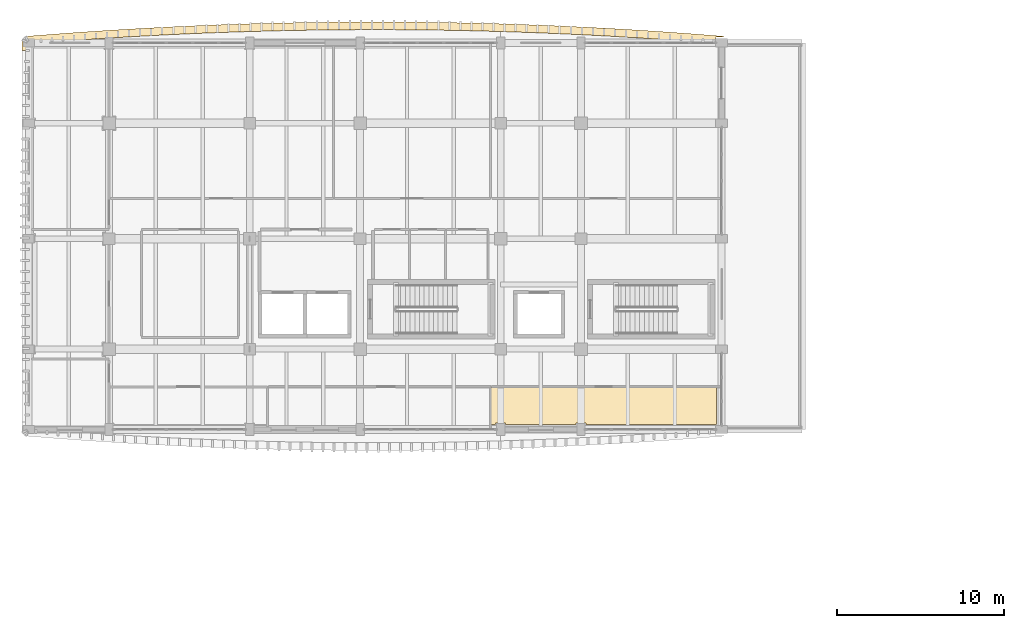
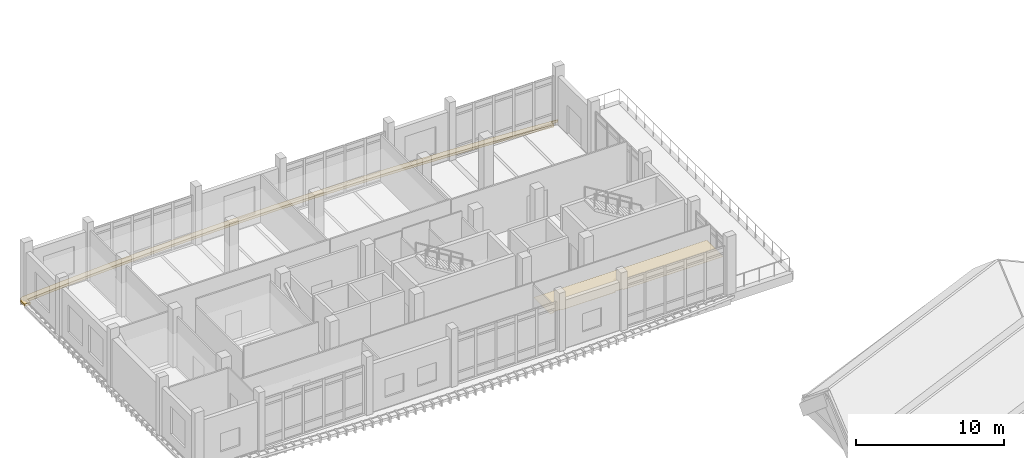
# One storey, part 37 of 50: 2 coverings.
"""IFC4 building model written with IfcOpenShell, lengths in metres."""

from ifc_helpers import new_model, si_unit, direction, frame, origin, place, context, subcontext, project, spatial, polyline, outline, extrude, material, layer, layer_set, type_object, element, save


model = new_model("IFC4")

# Units and contexts
model_context = context("Model", 3, precision=1e-05, world=origin(), true_north=direction((0.0, 1.0)))
body_context = subcontext(model_context, "Body", "Model", "MODEL_VIEW")
ifc_project = project(units=[si_unit("LENGTHUNIT", "METRE"), si_unit("AREAUNIT", "SQUARE_METRE"), si_unit("VOLUMEUNIT", "CUBIC_METRE"), si_unit("PLANEANGLEUNIT", "RADIAN"), si_unit("MASSUNIT", "GRAM", prefix="KILO")], contexts=[model_context])

# Site, building, storey
site_placement = place(None, origin())
site = spatial("IfcSite", under=ifc_project, at=site_placement, CompositionType="ELEMENT")
building_placement = place(site_placement, origin())
building = spatial("IfcBuilding", under=site, at=building_placement, Name="Dornvale Research Institute", CompositionType="ELEMENT")
storey_placement = place(building_placement, frame((0.0, 0.0, 19.800048828125)))
storey = spatial("IfcBuildingStorey", under=building, at=storey_placement, Name="L04", CompositionType="ELEMENT", Elevation=19.800048828125)

# Coverings
ifc_material_1 = material(Name="Mineral-Fibre Acoustic Lay-In Ceiling Tile System")
ifc_layer_1 = layer(ifc_material_1, 0.02001953125)
ifc_layer_set_1 = layer_set([ifc_layer_1], Name="Mineral-Fibre Acoustic Lay-In Ceiling Tile System")
covering_type_1 = type_object("IfcCoveringType", Name="Covering_Acoustic_Ceiling", PredefinedType="CEILING", material=ifc_layer_set_1)
covering_1_placement = place(storey_placement, frame((0.0, 0.0, 2.849853515625)))
element("IfcCovering", 1, at=covering_1_placement, inside=storey, type_object=covering_type_1, Name="L04 Principal Investigator Office L04 suspended ceiling", PredefinedType="CEILING", context=body_context, shape_type="SweptSolid", body=[
    extrude(outline(polyline([(28.5, 99.300048828125), (28.5, 99.39990234375), (27.89990234375, 99.39990234375), (27.89990234375, 99.300048828125), (27.6201171875, 99.300048828125), (27.6201171875, 101.530029296875), (41.10009765625, 101.530029296875), (41.10009765625, 99.300048828125), (41.0, 99.300048828125), (33.300048828125, 99.300048828125), (33.300048828125, 99.39990234375), (32.699951171875, 99.39990234375), (32.699951171875, 99.300048828125), (28.5, 99.300048828125)])), origin(), (0.0, 0.0, 1.0), 0.02001953125),
])
ifc_material_2 = material(Name="Polychrome Glazed Terracotta Visor Rib Ceramic", Category="masonry")
ifc_layer_2 = layer(ifc_material_2, 0.199951171875)
ifc_layer_set_2 = layer_set([ifc_layer_2], Name="Polychrome Glazed Terracotta Visor Rib Ceramic")
covering_type_2 = type_object("IfcCoveringType", Name="Covering_VisorBrim_Shelf", PredefinedType="CLADDING", material=ifc_layer_set_2)
covering_2_placement = place(storey_placement, frame((0.0, 0.0, -0.280029296875)))
element("IfcCovering", 2, at=covering_2_placement, inside=storey, type_object=covering_type_2, Name="L04 V5 canted bowed-brim visor hood #19", PredefinedType="CLADDING", context=body_context, shape_type="SweptSolid", body=[
    extrude(outline(polyline([(-0.296142578125, 122.373779296875), (-0.176025390625, 122.462890625), (-0.03173828125, 122.501953125), (1.624267578125, 122.632568359375), (1.626953125, 122.6328125), (3.282958984375, 122.75244140625), (3.28564453125, 122.75244140625), (4.941650390625, 122.861328125), (4.944091796875, 122.861572265625), (6.60009765625, 122.95947265625), (6.602783203125, 122.959716796875), (8.2587890625, 123.046630859375), (8.261474609375, 123.046875), (9.91748046875, 123.123046875), (9.920166015625, 123.123046875), (11.576171875, 123.188232421875), (11.578857421875, 123.1884765625), (13.23486328125, 123.242919921875), (13.2373046875, 123.242919921875), (14.893310546875, 123.28662109375), (14.89599609375, 123.28662109375), (16.552001953125, 123.319091796875), (16.5546875, 123.319091796875), (18.210693359375, 123.341064453125), (18.21337890625, 123.341064453125), (19.869384765625, 123.351806640625), (19.8720703125, 123.351806640625), (21.528076171875, 123.351806640625), (21.530517578125, 123.351806640625), (23.1865234375, 123.341064453125), (23.189208984375, 123.341064453125), (24.84521484375, 123.319091796875), (24.847900390625, 123.319091796875), (26.50390625, 123.28662109375), (26.506591796875, 123.28662109375), (28.16259765625, 123.242919921875), (28.165283203125, 123.242919921875), (29.8212890625, 123.1884765625), (29.823974609375, 123.188232421875), (31.47998046875, 123.123046875), (31.482421875, 123.123046875), (33.138427734375, 123.046875), (33.14111328125, 123.046630859375), (34.797119140625, 122.959716796875), (34.7998046875, 122.95947265625), (36.455810546875, 122.861572265625), (36.45849609375, 122.861328125), (38.114501953125, 122.75244140625), (38.116943359375, 122.75244140625), (39.77294921875, 122.6328125), (39.775634765625, 122.632568359375), (41.431640625, 122.501953125), (41.575927734375, 122.462890625), (41.59326171875, 122.449951171875), (41.050048828125, 122.449951171875), (41.050048828125, 122.0673828125), (39.739501953125, 122.1708984375), (38.083984375, 122.290283203125), (36.42822265625, 122.399169921875), (34.772705078125, 122.4970703125), (33.116943359375, 122.583984375), (31.46142578125, 122.660400390625), (29.805908203125, 122.725341796875), (28.150146484375, 122.77978515625), (26.49462890625, 122.823486328125), (24.839111328125, 122.85595703125), (23.183349609375, 122.877685546875), (21.52783203125, 122.888671875), (19.872314453125, 122.888671875), (18.216552734375, 122.877685546875), (16.56103515625, 122.85595703125), (14.905517578125, 122.823486328125), (13.249755859375, 122.77978515625), (11.59423828125, 122.725341796875), (9.938720703125, 122.660400390625), (8.282958984375, 122.583984375), (6.627197265625, 122.4970703125), (4.9716796875, 122.399169921875), (3.316162109375, 122.290283203125), (1.660400390625, 122.1708984375), (0.06005859375, 122.04443359375), (0.06005859375, 121.64990234375), (-0.4033203125, 121.64990234375), (-0.4033203125, 122.10009765625), (-0.37548828125, 122.246826171875), (-0.296142578125, 122.373779296875)])), origin(), (0.0, 0.0, 1.0), 0.199951171875),
])

save(model, "model.ifc")
